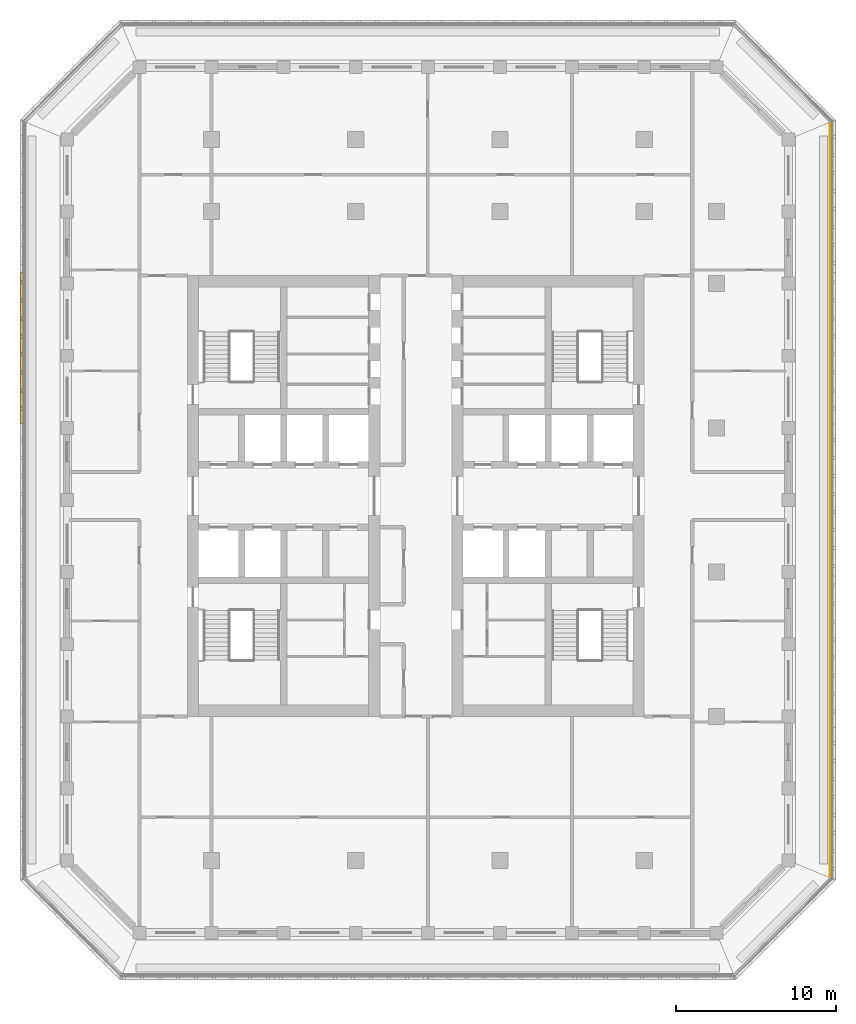
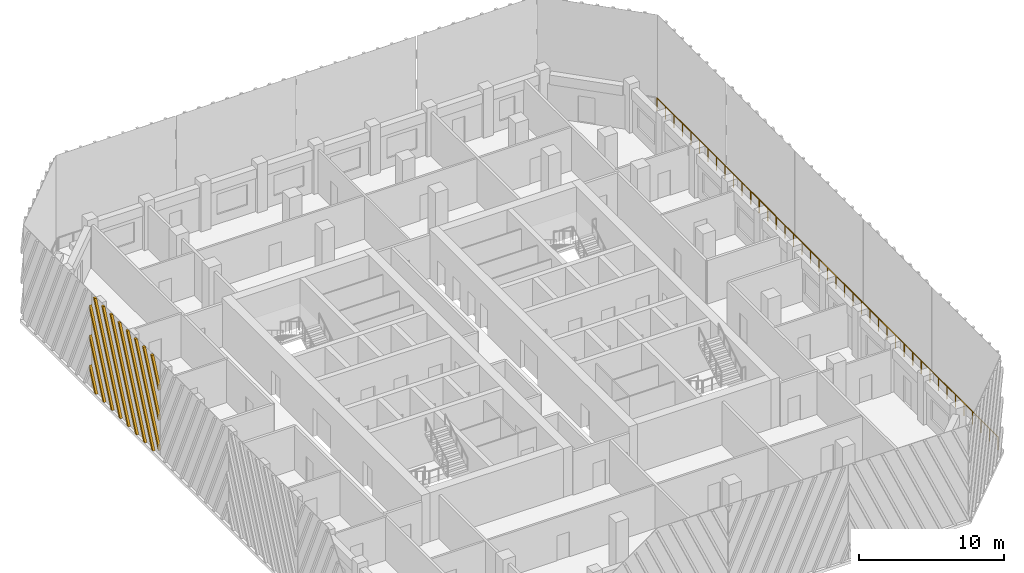
# One storey, part 13 of 17: 1 railing, 1 shading device.
"""IFC4 building model written with IfcOpenShell, lengths in metres."""

from ifc_helpers import new_model, si_unit, direction, frame, origin, origin_2d, place, context, subcontext, project, spatial, polyline, circle, outline, extrude, source, transform, mapped, material, type_object, element, save


model = new_model("IFC4")

# Units and contexts
model_context = context("Model", 3, precision=1e-05, world=origin(), true_north=direction((0.0, 1.0)))
body_context = subcontext(model_context, "Body", "Model", "MODEL_VIEW")
ifc_project = project(units=[si_unit("LENGTHUNIT", "METRE"), si_unit("AREAUNIT", "SQUARE_METRE"), si_unit("VOLUMEUNIT", "CUBIC_METRE"), si_unit("PLANEANGLEUNIT", "RADIAN"), si_unit("MASSUNIT", "GRAM", prefix="KILO")], contexts=[model_context])

# Site, building, storey
site_placement = place(None, origin())
site = spatial("IfcSite", under=ifc_project, at=site_placement, CompositionType="ELEMENT")
building_placement = place(site_placement, origin())
building = spatial("IfcBuilding", under=site, at=building_placement, Name="Corbel Stack Research Tower", CompositionType="ELEMENT")
storey_placement = place(building_placement, frame((0.0, 0.0, 239.800048828125)))
storey = spatial("IfcBuildingStorey", under=building, at=storey_placement, Name="L54", CompositionType="ELEMENT", Elevation=239.800048828125)

# Railing
ifc_material_1 = material(Name="Powder-coated steel guard", Category="steel")
railing_type = type_object("IfcRailingType", Name="Steel and glass guard 1100", PredefinedType="GUARDRAIL", material=ifc_material_1)
railing_placement = place(storey_placement, frame((29.60009765625, -19.00537109375, 0.0)))
element("IfcRailing", 1, at=railing_placement, inside=storey, type_object=railing_type, Name="Loggia guard L54 E", PredefinedType="GUARDRAIL", context=body_context, shape_type="SweptSolid", body=[
    extrude(circle(Radius=0.02392578125, at=origin_2d()), frame((0.0, 0.0, 1.076171875), z_axis=(0.0, 1.0, 0.0), x_axis=(-1.0, 0.0, 0.0)), (0.0, 0.0, 1.0), 47.0107421875),
    extrude(circle(Radius=0.02099609375, at=origin_2d()), origin(), (0.0, 0.0, 1.0), 1.052001953125),
    extrude(circle(Radius=0.02099609375, at=origin_2d()), frame((0.0, 1.17529296875, 0.0)), (0.0, 0.0, 1.0), 1.052001953125),
    extrude(circle(Radius=0.02099609375, at=origin_2d()), frame((0.0, 2.3505859375, 0.0)), (0.0, 0.0, 1.0), 1.052001953125),
    extrude(circle(Radius=0.02099609375, at=origin_2d()), frame((0.0, 3.52587890625, 0.0)), (0.0, 0.0, 1.0), 1.052001953125),
    extrude(circle(Radius=0.02099609375, at=origin_2d()), frame((0.0, 4.701171875, 0.0)), (0.0, 0.0, 1.0), 1.052001953125),
    extrude(circle(Radius=0.02099609375, at=origin_2d()), frame((0.0, 5.87646484375, 0.0)), (0.0, 0.0, 1.0), 1.052001953125),
    extrude(circle(Radius=0.02099609375, at=origin_2d()), frame((0.0, 7.051513671875, 0.0)), (0.0, 0.0, 1.0), 1.052001953125),
    extrude(circle(Radius=0.02099609375, at=origin_2d()), frame((0.0, 8.226806640625, 0.0)), (0.0, 0.0, 1.0), 1.052001953125),
    extrude(circle(Radius=0.02099609375, at=origin_2d()), frame((0.0, 9.402099609375, 0.0)), (0.0, 0.0, 1.0), 1.052001953125),
    extrude(circle(Radius=0.02099609375, at=origin_2d()), frame((0.0, 10.577392578125, 0.0)), (0.0, 0.0, 1.0), 1.052001953125),
    extrude(circle(Radius=0.02099609375, at=origin_2d()), frame((0.0, 11.752685546875, 0.0)), (0.0, 0.0, 1.0), 1.052001953125),
    extrude(circle(Radius=0.02099609375, at=origin_2d()), frame((0.0, 12.927978515625, 0.0)), (0.0, 0.0, 1.0), 1.052001953125),
    extrude(circle(Radius=0.02099609375, at=origin_2d()), frame((0.0, 14.103271484375, 0.0)), (0.0, 0.0, 1.0), 1.052001953125),
    extrude(circle(Radius=0.02099609375, at=origin_2d()), frame((0.0, 15.278564453125, 0.0)), (0.0, 0.0, 1.0), 1.052001953125),
    extrude(circle(Radius=0.02099609375, at=origin_2d()), frame((0.0, 16.453857421875, 0.0)), (0.0, 0.0, 1.0), 1.052001953125),
    extrude(circle(Radius=0.02099609375, at=origin_2d()), frame((0.0, 17.62890625, 0.0)), (0.0, 0.0, 1.0), 1.052001953125),
    extrude(circle(Radius=0.02099609375, at=origin_2d()), frame((0.0, 18.80419921875, 0.0)), (0.0, 0.0, 1.0), 1.052001953125),
    extrude(circle(Radius=0.02099609375, at=origin_2d()), frame((0.0, 19.9794921875, 0.0)), (0.0, 0.0, 1.0), 1.052001953125),
    extrude(circle(Radius=0.02099609375, at=origin_2d()), frame((0.0, 21.15478515625, 0.0)), (0.0, 0.0, 1.0), 1.052001953125),
    extrude(circle(Radius=0.02099609375, at=origin_2d()), frame((0.0, 22.330078125, 0.0)), (0.0, 0.0, 1.0), 1.052001953125),
    extrude(circle(Radius=0.02099609375, at=origin_2d()), frame((0.0, 23.50537109375, 0.0)), (0.0, 0.0, 1.0), 1.052001953125),
    extrude(circle(Radius=0.02099609375, at=origin_2d()), frame((0.0, 24.6806640625, 0.0)), (0.0, 0.0, 1.0), 1.052001953125),
    extrude(circle(Radius=0.02099609375, at=origin_2d()), frame((0.0, 25.85595703125, 0.0)), (0.0, 0.0, 1.0), 1.052001953125),
    extrude(circle(Radius=0.02099609375, at=origin_2d()), frame((0.0, 27.03125, 0.0)), (0.0, 0.0, 1.0), 1.052001953125),
    extrude(circle(Radius=0.02099609375, at=origin_2d()), frame((0.0, 28.20654296875, 0.0)), (0.0, 0.0, 1.0), 1.052001953125),
    extrude(circle(Radius=0.02099609375, at=origin_2d()), frame((0.0, 29.3818359375, 0.0)), (0.0, 0.0, 1.0), 1.052001953125),
    extrude(circle(Radius=0.02099609375, at=origin_2d()), frame((0.0, 30.556884765625, 0.0)), (0.0, 0.0, 1.0), 1.052001953125),
    extrude(circle(Radius=0.02099609375, at=origin_2d()), frame((0.0, 31.732177734375, 0.0)), (0.0, 0.0, 1.0), 1.052001953125),
    extrude(circle(Radius=0.02099609375, at=origin_2d()), frame((0.0, 32.907470703125, 0.0)), (0.0, 0.0, 1.0), 1.052001953125),
    extrude(circle(Radius=0.02099609375, at=origin_2d()), frame((0.0, 34.082763671875, 0.0)), (0.0, 0.0, 1.0), 1.052001953125),
    extrude(circle(Radius=0.02099609375, at=origin_2d()), frame((0.0, 35.258056640625, 0.0)), (0.0, 0.0, 1.0), 1.052001953125),
    extrude(circle(Radius=0.02099609375, at=origin_2d()), frame((0.0, 36.433349609375, 0.0)), (0.0, 0.0, 1.0), 1.052001953125),
    extrude(circle(Radius=0.02099609375, at=origin_2d()), frame((0.0, 37.608642578125, 0.0)), (0.0, 0.0, 1.0), 1.052001953125),
    extrude(circle(Radius=0.02099609375, at=origin_2d()), frame((0.0, 38.783935546875, 0.0)), (0.0, 0.0, 1.0), 1.052001953125),
    extrude(circle(Radius=0.02099609375, at=origin_2d()), frame((0.0, 39.959228515625, 0.0)), (0.0, 0.0, 1.0), 1.052001953125),
    extrude(circle(Radius=0.02099609375, at=origin_2d()), frame((0.0, 41.13427734375, 0.0)), (0.0, 0.0, 1.0), 1.052001953125),
    extrude(circle(Radius=0.02099609375, at=origin_2d()), frame((0.0, 42.3095703125, 0.0)), (0.0, 0.0, 1.0), 1.052001953125),
    extrude(circle(Radius=0.02099609375, at=origin_2d()), frame((0.0, 43.48486328125, 0.0)), (0.0, 0.0, 1.0), 1.052001953125),
    extrude(circle(Radius=0.02099609375, at=origin_2d()), frame((0.0, 44.66015625, 0.0)), (0.0, 0.0, 1.0), 1.052001953125),
    extrude(circle(Radius=0.02099609375, at=origin_2d()), frame((0.0, 45.83544921875, 0.0)), (0.0, 0.0, 1.0), 1.052001953125),
    extrude(circle(Radius=0.02099609375, at=origin_2d()), frame((0.0, 47.0107421875, 0.0)), (0.0, 0.0, 1.0), 1.052001953125),
])

# Shading device
ifc_material_2 = material(Name="Precast terracotta", Category="masonry")
shading_device_type = type_object("IfcShadingDeviceType", Name="Terracotta screen panel", PredefinedType="USERDEFINED", material=ifc_material_2)
shared_shape = source(origin(), body_context, "Body", "SweptSolid", [
    extrude(outline(polyline([(0.862060546875, 0.0), (0.0, 1.936279296875), (0.0, 1.509521484375), (0.672119140625, 0.0), (0.862060546875, 0.0)])), frame((0.0, 0.0, 0.0), z_axis=(0.0, -1.0, 0.0), x_axis=(1.0, 0.0, 0.0)), (0.0, 0.0, 1.0), 0.179931640625),
    extrude(outline(polyline([(1.987060546875, 0.0), (0.0, 4.463134765625), (0.0, 4.036376953125), (1.797119140625, 0.0), (1.987060546875, 0.0)])), frame((0.0, 0.0, 0.0), z_axis=(0.0, -1.0, 0.0), x_axis=(1.0, 0.0, 0.0)), (0.0, 0.0, 1.0), 0.179931640625),
    extrude(outline(polyline([(3.112060546875, 0.0), (0.0, 6.989990234375), (0.0, 6.563232421875), (2.922119140625, 0.0), (3.112060546875, 0.0)])), frame((0.0, 0.0, 0.0), z_axis=(0.0, -1.0, 0.0), x_axis=(1.0, 0.0, 0.0)), (0.0, 0.0, 1.0), 0.179931640625),
    extrude(outline(polyline([(4.237060546875, 0.0), (0.697509765625, 7.949951171875), (0.507568359375, 7.949951171875), (4.047119140625, 0.0), (4.237060546875, 0.0)])), frame((0.0, 0.0, 0.0), z_axis=(0.0, -1.0, 0.0), x_axis=(1.0, 0.0, 0.0)), (0.0, 0.0, 1.0), 0.179931640625),
    extrude(outline(polyline([(5.362060546875, 0.0), (1.822509765625, 7.949951171875), (1.632568359375, 7.949951171875), (5.172119140625, 0.0), (5.362060546875, 0.0)])), frame((0.0, 0.0, 0.0), z_axis=(0.0, -1.0, 0.0), x_axis=(1.0, 0.0, 0.0)), (0.0, 0.0, 1.0), 0.179931640625),
    extrude(outline(polyline([(6.487060546875, 0.0), (2.947509765625, 7.949951171875), (2.757568359375, 7.949951171875), (6.297119140625, 0.0), (6.487060546875, 0.0)])), frame((0.0, 0.0, 0.0), z_axis=(0.0, -1.0, 0.0), x_axis=(1.0, 0.0, 0.0)), (0.0, 0.0, 1.0), 0.179931640625),
    extrude(outline(polyline([(7.612060546875, 0.0), (4.072509765625, 7.949951171875), (3.882568359375, 7.949951171875), (7.422119140625, 0.0), (7.612060546875, 0.0)])), frame((0.0, 0.0, 0.0), z_axis=(0.0, -1.0, 0.0), x_axis=(1.0, 0.0, 0.0)), (0.0, 0.0, 1.0), 0.179931640625),
    extrude(outline(polyline([(8.737060546875, 0.0), (5.197509765625, 7.949951171875), (5.007568359375, 7.949951171875), (8.547119140625, 0.0), (8.737060546875, 0.0)])), frame((0.0, 0.0, 0.0), z_axis=(0.0, -1.0, 0.0), x_axis=(1.0, 0.0, 0.0)), (0.0, 0.0, 1.0), 0.179931640625),
    extrude(outline(polyline([(6.322509765625, 7.949951171875), (6.132568359375, 7.949951171875), (9.45556640625, 0.486328125), (9.45556640625, 0.9130859375), (6.322509765625, 7.949951171875)])), frame((0.0, 0.0, 0.0), z_axis=(0.0, -1.0, 0.0), x_axis=(1.0, 0.0, 0.0)), (0.0, 0.0, 1.0), 0.179931640625),
    extrude(outline(polyline([(7.447509765625, 7.949951171875), (7.257568359375, 7.949951171875), (9.45556640625, 3.01318359375), (9.45556640625, 3.439697265625), (7.447509765625, 7.949951171875)])), frame((0.0, 0.0, 0.0), z_axis=(0.0, -1.0, 0.0), x_axis=(1.0, 0.0, 0.0)), (0.0, 0.0, 1.0), 0.179931640625),
    extrude(outline(polyline([(8.572509765625, 7.949951171875), (8.382568359375, 7.949951171875), (9.45556640625, 5.539794921875), (9.45556640625, 5.966552734375), (8.572509765625, 7.949951171875)])), frame((0.0, 0.0, 0.0), z_axis=(0.0, -1.0, 0.0), x_axis=(1.0, 0.0, 0.0)), (0.0, 0.0, 1.0), 0.179931640625),
])
shading_device_placement = place(storey_placement, frame((-20.75, 18.68359375, 0.0), z_axis=(0.0, 0.0, 1.0), x_axis=(0.0, -1.0, 0.0)))
element("IfcShadingDevice", 2, at=shading_device_placement, inside=storey, type_object=shading_device_type, Name="Terracotta screen L54 W2", ObjectType="SCREEN", PredefinedType="USERDEFINED", context=body_context, shape_type="MappedRepresentation", body=[
    mapped(shared_shape, transform((0.0, 0.0, 0.0))),
])

save(model, "model.ifc")
